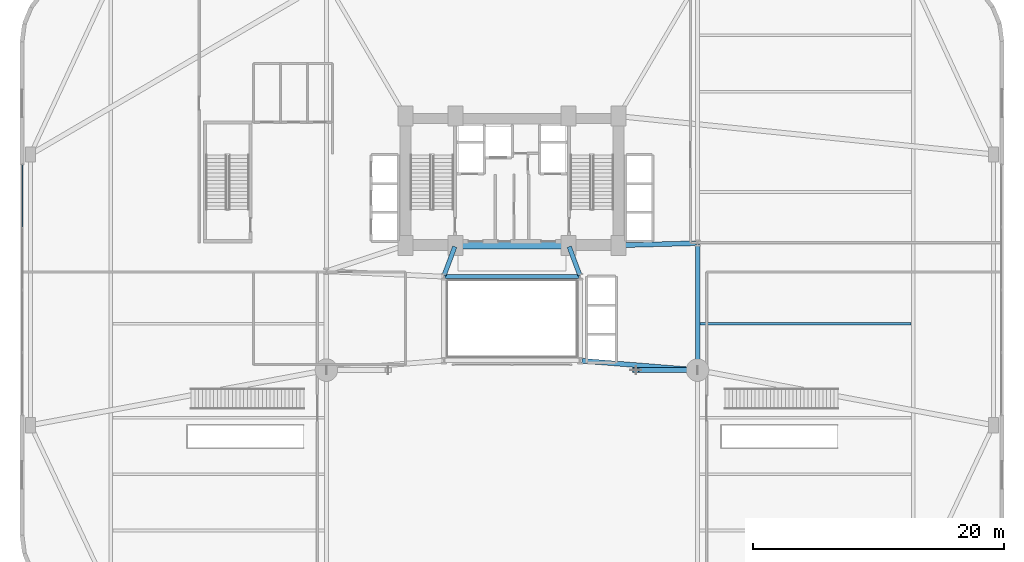
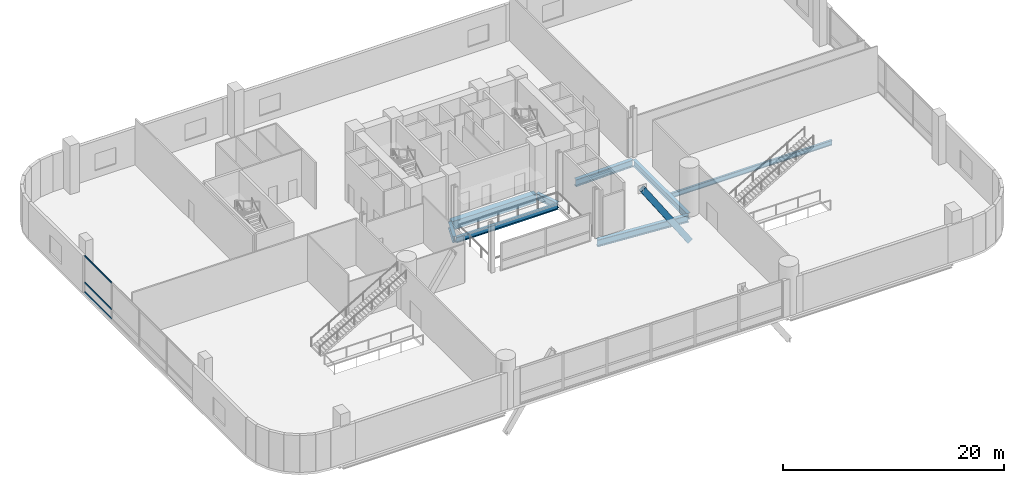
# One storey, part 16 of 40: 8 beams, 4 members, 1 element without a shape of its own.
"""IFC4 building model written with IfcOpenShell, lengths in metres."""

import ifcopenshell
import ifcopenshell.guid

model = None  # the IFC model being written
_history = None  # IfcOwnerHistory: only IFC2X3 demands one
_inside = {}  # id of a spatial element -> (the spatial element, [elements in it])
_under = {}  # id of a project, library or spatial element -> (it, [spatial elements below it])
_declared = {}  # id of a project -> (the project, [libraries it declares])
_typed = {}  # id of a type object -> (the type object, [elements of that type])
_made_of = {}  # id of a material, layer set ... -> (it, [elements and type objects made of it])


def new_model(schema):
    """Start an empty IFC model of exactly this schema.

    Asked for "IFC4X3", IfcOpenShell would pick the latest addendum, in which some entities
    have other attributes; the version numbers below select the first issue.
    IFC2X3 requires an IfcOwnerHistory on every rooted entity: one is made here for all.
    """
    global model, _history
    if schema == "IFC4X3":
        model = ifcopenshell.file(schema_version=(4, 3, 0, 0))
    else:
        model = ifcopenshell.file(schema=schema)
    _inside.clear()
    _under.clear()
    _declared.clear()
    _typed.clear()
    _made_of.clear()
    _history = None
    if model.schema == "IFC2X3":
        org = make("IfcOrganization", Name="unknown")
        user = make(
            "IfcPersonAndOrganization",
            ThePerson=make("IfcPerson", FamilyName="unknown"),
            TheOrganization=org,
        )
        app = make(
            "IfcApplication",
            ApplicationDeveloper=org,
            Version="unknown",
            ApplicationFullName="unknown",
            ApplicationIdentifier="unknown",
        )
        _history = make(
            "IfcOwnerHistory",
            OwningUser=user,
            OwningApplication=app,
            ChangeAction="ADDED",
            CreationDate=0,
        )
    return model


def make(cls, **values):
    """One entity of the class cls with the attributes given. An attribute that is None is left unset."""
    return model.create_entity(
        cls, **{name: value for name, value in values.items() if value is not None}
    )


def rooted(cls, **values):
    """An entity with a GlobalId (a new one), such as an element, a storey or a relation."""
    return make(cls, GlobalId=ifcopenshell.guid.new(), OwnerHistory=_history, **values)


def si_unit(unit_type, name, prefix=None):
    """IfcSIUnit, for example si_unit("LENGTHUNIT", "METRE", prefix="MILLI")."""
    return make("IfcSIUnit", UnitType=unit_type, Prefix=prefix, Name=name)


def assignment(units):
    """IfcUnitAssignment: the units of a project."""
    return None if units is None else make("IfcUnitAssignment", Units=units)


def point(xyz):
    """IfcCartesianPoint."""
    return None if xyz is None else make("IfcCartesianPoint", Coordinates=xyz)


def direction(xyz):
    """IfcDirection."""
    return None if xyz is None else make("IfcDirection", DirectionRatios=xyz)


def frame(location, z_axis=None, x_axis=None):
    """IfcAxis2Placement3D, a coordinate frame: its origin and axes. An axis left out is left unset."""
    return make(
        "IfcAxis2Placement3D",
        Location=point(location),
        Axis=direction(z_axis),
        RefDirection=direction(x_axis),
    )


def frame_2d(location, x_axis=None):
    """IfcAxis2Placement2D, a coordinate frame in the plane: its origin and x axis."""
    return make(
        "IfcAxis2Placement2D", Location=point(location), RefDirection=direction(x_axis)
    )


def origin():
    """The frame at (0, 0, 0) with its axes left unset."""
    return frame((0.0, 0.0, 0.0))


def origin_2d():
    """The frame at (0, 0) in the plane with its x axis left unset."""
    return frame_2d((0.0, 0.0))


def place(relative_to, where):
    """IfcLocalPlacement: puts the frame where relative to a parent placement (None: the world)."""
    return make(
        "IfcLocalPlacement", PlacementRelTo=relative_to, RelativePlacement=where
    )


def context(
    kind, dimensions, precision=None, world=None, true_north=None, identifier=None
):
    """IfcGeometricRepresentationContext, for example the 3D "Model" context."""
    return make(
        "IfcGeometricRepresentationContext",
        ContextIdentifier=identifier,
        ContextType=kind,
        CoordinateSpaceDimension=dimensions,
        Precision=precision,
        WorldCoordinateSystem=world,
        TrueNorth=true_north,
    )


def subcontext(parent, identifier, kind, view, scale=None):
    """IfcGeometricRepresentationSubContext, for example "Body" below "Model"."""
    return make(
        "IfcGeometricRepresentationSubContext",
        ContextIdentifier=identifier,
        ContextType=kind,
        ParentContext=parent,
        TargetScale=scale,
        TargetView=view,
    )


def project(units=None, contexts=None):
    """IfcProject with its units and contexts."""
    return rooted(
        "IfcProject",
        Name="project",
        RepresentationContexts=contexts,
        UnitsInContext=assignment(units),
    )


def spatial(cls, under=None, at=None, **own):
    """A site, building, storey or space (cls), placed at a placement, below another one or the project."""
    s = rooted(cls, ObjectPlacement=at, **own)
    if under is not None:
        _under.setdefault(under.id(), (under, []))[1].append(s)
    return s


def profile(cls, at=None, kind="AREA", **sizes):
    """A parametric profile (cls). Its sizes go by their IFC names, for example OverallWidth=200.0."""
    return make(cls, ProfileType=kind, Position=at, **sizes)


def rectangle(**sizes):
    """IfcRectangleProfileDef."""
    return profile("IfcRectangleProfileDef", **sizes)


def hollow_rectangle(**sizes):
    """IfcRectangleHollowProfileDef."""
    return profile("IfcRectangleHollowProfileDef", **sizes)


def i_section(**sizes):
    """IfcIShapeProfileDef."""
    return profile("IfcIShapeProfileDef", **sizes)


def extrude(swept, where, along, depth):
    """IfcExtrudedAreaSolid: the profile swept, set in the frame where, extruded along a direction by depth."""
    return make(
        "IfcExtrudedAreaSolid",
        SweptArea=swept,
        Position=where,
        ExtrudedDirection=direction(along),
        Depth=depth,
    )


def shape(context_of_items, identifier, shape_type, items):
    """IfcShapeRepresentation: the items that make up one representation, for example the "Body"."""
    return make(
        "IfcShapeRepresentation",
        ContextOfItems=context_of_items,
        RepresentationIdentifier=identifier,
        RepresentationType=shape_type,
        Items=items,
    )


def material(Name=None, Category=None):
    """IfcMaterial."""
    return make("IfcMaterial", Name=Name, Category=Category)


def layer(
    of_material, thickness, ventilated=None, Name=None, Category=None, Priority=None
):
    """IfcMaterialLayer: one layer of a wall or slab, of a material (None: an air gap)."""
    return make(
        "IfcMaterialLayer",
        Material=of_material,
        LayerThickness=thickness,
        IsVentilated=ventilated,
        Name=Name,
        Category=Category,
        Priority=Priority,
    )


def layer_set(layers, Name=None):
    """IfcMaterialLayerSet."""
    return make("IfcMaterialLayerSet", MaterialLayers=layers, LayerSetName=Name)


def material_profile(
    of_material, cross_section, Name=None, Category=None, Priority=None
):
    """IfcMaterialProfile: a cross section and its material."""
    return make(
        "IfcMaterialProfile",
        Name=Name,
        Material=of_material,
        Profile=cross_section,
        Priority=Priority,
        Category=Category,
    )


def profile_set(profiles, Name=None, composite=None):
    """IfcMaterialProfileSet."""
    return make(
        "IfcMaterialProfileSet",
        Name=Name,
        MaterialProfiles=profiles,
        CompositeProfile=composite,
    )


def made_of(thing, what):
    """Note that an element or type object is made of a material, layer set ...; save() writes the relation."""
    if what is not None:
        _made_of.setdefault(what.id(), (what, []))[1].append(thing)
    return thing


def type_object(cls, material=None, **own):
    """A type object (cls), such as IfcWallType, which elements share."""
    return made_of(rooted(cls, **own), material)


def element(
    cls,
    number,
    at=None,
    inside=None,
    cuts=None,
    type_object=None,
    material=None,
    context=None,
    identifier="Body",
    shape_type=None,
    held_by="IfcProductDefinitionShape",
    body=None,
    shapes=None,
    **own,
):
    """One element of the class cls, such as IfcWall. Its Tag is "e" and its number.

    at: its placement. inside: the storey or other place that contains it. cuts: it is an
    opening in that element (IfcRelVoidsElement). A single representation is given by context,
    identifier, shape_type and body (its items); several are given by shapes. held_by: the class
    of the entity that holds the representations. save() writes the other relations.
    """
    e = rooted(cls, Tag="e%d" % number, ObjectPlacement=at, **own)
    if body is not None:
        shapes = [shape(context, identifier, shape_type, body)]
    if shapes is not None:
        e.Representation = make(held_by, Representations=shapes)
    if inside is not None:
        _inside.setdefault(inside.id(), (inside, []))[1].append(e)
    if cuts is not None:
        rooted(
            "IfcRelVoidsElement", RelatingBuildingElement=cuts, RelatedOpeningElement=e
        )
    if type_object is not None:
        _typed.setdefault(type_object.id(), (type_object, []))[1].append(e)
    return made_of(e, material)


def aggregate(whole, parts):
    """IfcRelAggregates: a whole, such as a stair, and the parts it consists of."""
    return rooted("IfcRelAggregates", RelatingObject=whole, RelatedObjects=parts)


def save(model, path):
    """Write the relations noted so far, then the file.

    IfcRelAggregates (storeys below a building ...), IfcRelContainedInSpatialStructure (elements
    in a storey), IfcRelDefinesByType, IfcRelAssociatesMaterial and IfcRelDeclares: one each for
    every whole, place, type object, material and project.
    """
    for whole, parts in _under.values():
        aggregate(whole, parts)
    for where, things in _inside.values():
        rooted(
            "IfcRelContainedInSpatialStructure",
            RelatedElements=things,
            RelatingStructure=where,
        )
    for kind, things in _typed.values():
        rooted("IfcRelDefinesByType", RelatedObjects=things, RelatingType=kind)
    for what, things in _made_of.values():
        rooted("IfcRelAssociatesMaterial", RelatedObjects=things, RelatingMaterial=what)
    for by, libraries in _declared.values():
        rooted("IfcRelDeclares", RelatingContext=by, RelatedDefinitions=libraries)
    model.write(path)


model = new_model("IFC4")

# Units and contexts
model_context = context("Model", 3, precision=1e-05, world=origin(), true_north=direction((0.0, 1.0)))
body_context = subcontext(model_context, "Body", "Model", "MODEL_VIEW")
ifc_project = project(units=[si_unit("LENGTHUNIT", "METRE"), si_unit("AREAUNIT", "SQUARE_METRE"), si_unit("VOLUMEUNIT", "CUBIC_METRE"), si_unit("PLANEANGLEUNIT", "RADIAN"), si_unit("MASSUNIT", "GRAM", prefix="KILO")], contexts=[model_context])

# Site, building, storey
site_placement = place(None, origin())
site = spatial("IfcSite", under=ifc_project, at=site_placement, CompositionType="ELEMENT")
building_placement = place(site_placement, origin())
building = spatial("IfcBuilding", under=site, at=building_placement, Name="Varnelok Gate Tower", CompositionType="ELEMENT")
storey_placement = place(building_placement, frame((0.0, 0.0, 5.39990234375)))
storey = spatial("IfcBuildingStorey", under=building, at=storey_placement, Name="L01", CompositionType="ELEMENT", Elevation=5.39990234375)

# Beams
ifc_material_1 = material(Name="Structural Steel ASTM A992 Grade 50", Category="steel")
ifc_material_profile_1 = material_profile(ifc_material_1, i_section(OverallWidth=0.2119140625, OverallDepth=0.5439453125, WebThickness=0.01318359375, FlangeThickness=0.021240234375, FilletRadius=0.01611328125, at=origin_2d()), Name="W21X83")
ifc_profile_set_1 = profile_set([ifc_material_profile_1], Name="Structural Steel ASTM A992 Grade 50")
beam_type_1 = type_object("IfcBeamType", Name="BM-JST-W21X83", PredefinedType="JOIST", material=ifc_profile_set_1)
beam_1_placement = place(storey_placement, frame((54.159912109375, 22.5, -0.552001953125), z_axis=(1.0, 0.0, 0.0), x_axis=(0.0, 1.0, 0.0)))
element("IfcBeam", 1, at=beam_1_placement, inside=storey, type_object=beam_type_1, Name="L01 Podium Floor Joist", PredefinedType="JOIST", context=body_context, shape_type="SweptSolid", body=[
    extrude(i_section(OverallWidth=0.2119140625, OverallDepth=0.5439453125, WebThickness=0.01318359375, FlangeThickness=0.021240234375, FilletRadius=0.01611328125, at=origin_2d()), origin(), (0.0, 0.0, 1.0), 16.880126953125),
])
ifc_material_2 = material(Name="Concrete C60/75", Category="concrete")
ifc_material_profile_2 = material_profile(ifc_material_2, rectangle(XDim=0.60009765625, YDim=0.949951171875, at=origin_2d()), Name="RC950X600")
ifc_profile_set_2 = profile_set([ifc_material_profile_2], Name="Concrete C60/75")
beam_type_2 = type_object("IfcBeamType", Name="BM-LNT-RC950", PredefinedType="LINTEL", material=ifc_profile_set_2)
beam_2_placement = place(storey_placement, frame((34.800048828125, 28.75, -0.7548828125), z_axis=(1.0, 0.0, 0.0), x_axis=(0.0, 1.0, 0.0)))
element("IfcBeam", 2, at=beam_2_placement, inside=storey, type_object=beam_type_2, Name="L01 Core-Atrium Spine Beam 7", PredefinedType="LINTEL", context=body_context, shape_type="SweptSolid", body=[
    extrude(rectangle(XDim=0.60009765625, YDim=0.949951171875, at=origin_2d()), origin(), (0.0, 0.0, 1.0), 8.800048828125),
])
ifc_material_profile_3 = material_profile(ifc_material_1, i_section(OverallWidth=0.35498046875, OverallDepth=0.696044921875, WebThickness=0.015380859375, FlangeThickness=0.02490234375, FilletRadius=0.02001953125, at=origin_2d()), Name="W27X146")
ifc_profile_set_3 = profile_set([ifc_material_profile_3], Name="Structural Steel ASTM A992 Grade 50")
beam_type_3 = type_object("IfcBeamType", Name="BM-PRI-W27X146", PredefinedType="BEAM", material=ifc_profile_set_3)
for number, where, z_axis, x_axis, name in (
    (3, (33.791748046875, 26.362548828125, -0.6279296875), (0.348719329408, 0.937227202602, 0.0), (-0.937227202602, 0.348719329408, 0.0), "L01 Core-Atrium Spine Beam 12"),
    (4, (44.608154296875, 26.362548828125, -0.6279296875), (-0.348719329408, 0.937227202602, 0.0), (-0.937227202602, -0.348719329408, 0.0), "L01 Core-Atrium Spine Beam 13"),
):
    element("IfcBeam", number, at=place(storey_placement, frame(where, z_axis=z_axis, x_axis=x_axis)), inside=storey, type_object=beam_type_3, Name=name, PredefinedType="BEAM", context=body_context, shape_type="SweptSolid", body=[
        extrude(i_section(OverallWidth=0.35498046875, OverallDepth=0.696044921875, WebThickness=0.015380859375, FlangeThickness=0.02490234375, FilletRadius=0.02001953125, at=origin_2d()), origin(), (0.0, 0.0, 1.0), 2.42724609375),
    ])
beam_3_placement = place(storey_placement, frame((54.0, 18.919921875, -0.6279296875), z_axis=(0.0, 1.0, 0.0), x_axis=(-1.0, 0.0, 0.0)))
element("IfcBeam", 5, at=beam_3_placement, inside=storey, type_object=beam_type_3, Name="L01 Core-Atrium Spine Beam 20", PredefinedType="BEAM", context=body_context, shape_type="SweptSolid", body=[
    extrude(i_section(OverallWidth=0.35498046875, OverallDepth=0.696044921875, WebThickness=0.015380859375, FlangeThickness=0.02490234375, FilletRadius=0.02001953125, at=origin_2d()), origin(), (0.0, 0.0, 1.0), 9.880126953125),
])
ifc_material_profile_4 = material_profile(ifc_material_1, i_section(OverallWidth=0.381103515625, OverallDepth=0.77294921875, WebThickness=0.0166015625, FlangeThickness=0.027099609375, FilletRadius=0.02197265625, at=origin_2d()), Name="W30X173")
ifc_profile_set_4 = profile_set([ifc_material_profile_4], Name="Structural Steel ASTM A992 Grade 50")
beam_type_4 = type_object("IfcBeamType", Name="BM-PRI-W30X173", PredefinedType="BEAM", material=ifc_profile_set_4)
beam_4_placement = place(storey_placement, frame((44.76953125, 19.540283203125, -0.66650390625), z_axis=(0.996799206292, -0.07994587128, 0.0), x_axis=(0.07994587128, 0.996799206292, 0.0)))
element("IfcBeam", 6, at=beam_4_placement, inside=storey, type_object=beam_type_4, Name="L01 Core-Atrium Spine Beam 18", PredefinedType="BEAM", context=body_context, shape_type="SweptSolid", body=[
    extrude(i_section(OverallWidth=0.381103515625, OverallDepth=0.77294921875, WebThickness=0.0166015625, FlangeThickness=0.027099609375, FilletRadius=0.02197265625, at=origin_2d()), origin(), (0.0, 0.0, 1.0), 9.14013671875),
])
beam_5_placement = place(storey_placement, frame((47.820068359375, 28.753173828125, -0.66650390625), z_axis=(0.999635880609, 0.026983443053, 0.0), x_axis=(-0.026983443053, 0.999635880609, 0.0)))
element("IfcBeam", 7, at=beam_5_placement, inside=storey, type_object=beam_type_4, Name="L01 Core-Atrium Spine Beam 19", PredefinedType="BEAM", context=body_context, shape_type="SweptSolid", body=[
    extrude(i_section(OverallWidth=0.381103515625, OverallDepth=0.77294921875, WebThickness=0.0166015625, FlangeThickness=0.027099609375, FilletRadius=0.02197265625, at=origin_2d()), origin(), (0.0, 0.0, 1.0), 6.06201171875),
])
ifc_material_profile_5 = material_profile(ifc_material_1, i_section(OverallWidth=0.323974609375, OverallDepth=0.611083984375, WebThickness=0.0126953125, FlangeThickness=0.01904296875, FilletRadius=0.01806640625, at=origin_2d()), Name="W24X104")
ifc_profile_set_5 = profile_set([ifc_material_profile_5], Name="Structural Steel ASTM A992 Grade 50")
beam_type_5 = type_object("IfcBeamType", Name="BM-SPN-W24X104", PredefinedType="SPANDREL", material=ifc_profile_set_5)
beam_6_placement = place(storey_placement, frame((33.8701171875, 26.25, -0.58544921875), z_axis=(1.0, 0.0, 0.0), x_axis=(0.0, 1.0, 0.0)))
element("IfcBeam", 8, at=beam_6_placement, inside=storey, type_object=beam_type_5, Name="L01 Core-Atrium Spine Beam 9", PredefinedType="SPANDREL", context=body_context, shape_type="SweptSolid", body=[
    extrude(i_section(OverallWidth=0.323974609375, OverallDepth=0.611083984375, WebThickness=0.0126953125, FlangeThickness=0.01904296875, FilletRadius=0.01806640625, at=origin_2d()), origin(), (0.0, 0.0, 1.0), 10.659912109375),
])

# Curtain wall, members
ifc_material_3 = material(Name="Anodized Aluminum Alloy 6063-T6", Category="aluminium")
ifc_layer = layer(ifc_material_3, 0.179931640625)
ifc_layer_set = layer_set([ifc_layer], Name="Anodized Aluminum Alloy 6063-T6")
curtain_wall_type = type_object("IfcCurtainWallType", Name="CW1-ARCH-PORTAL", PredefinedType="USERDEFINED", material=ifc_layer_set)
curtain_wall_placement = place(storey_placement, origin())
curtain_wall = element("IfcCurtainWall", 9, at=curtain_wall_placement, inside=storey, type_object=curtain_wall_type, Name="L01 Podium Portal Curtain Wall W", ObjectType="UNITISED CURTAIN WALL", PredefinedType="USERDEFINED")
ifc_material_profile_6 = material_profile(ifc_material_3, hollow_rectangle(XDim=0.074951171875, YDim=0.199951171875, WallThickness=0.00390625, at=origin_2d()), Name="ALU200X75X4")
ifc_profile_set_6 = profile_set([ifc_material_profile_6], Name="Anodized Aluminum Alloy 6063-T6")
member_type_1 = type_object("IfcMemberType", Name="CW-TRAN-200", PredefinedType="USERDEFINED", material=ifc_profile_set_6)
member_1_placement = place(storey_placement, frame((0.159912109375, 30.237548828125, 0.03759765625), z_axis=(0.0, 1.0, 0.0), x_axis=(-1.0, 0.0, 0.0)))
member_1 = element("IfcMember", 10, at=member_1_placement, type_object=member_type_1, Name="CW1 transom 4.1", ObjectType="TRANSOM", PredefinedType="USERDEFINED", context=body_context, shape_type="SweptSolid", body=[
    extrude(hollow_rectangle(XDim=0.074951171875, YDim=0.199951171875, WallThickness=0.00390625, at=origin_2d()), origin(), (0.0, 0.0, 1.0), 4.887451171875),
])
member_2_placement = place(storey_placement, frame((0.159912109375, 30.237548828125, 1.10009765625), z_axis=(0.0, 1.0, 0.0), x_axis=(-1.0, 0.0, 0.0)))
member_2 = element("IfcMember", 11, at=member_2_placement, type_object=member_type_1, Name="CW1 transom 4.2", ObjectType="TRANSOM", PredefinedType="USERDEFINED", context=body_context, shape_type="SweptSolid", body=[
    extrude(hollow_rectangle(XDim=0.074951171875, YDim=0.199951171875, WallThickness=0.00390625, at=origin_2d()), origin(), (0.0, 0.0, 1.0), 4.887451171875),
])
member_3_placement = place(storey_placement, frame((0.159912109375, 30.237548828125, 4.03271484375), z_axis=(0.0, 1.0, 0.0), x_axis=(-1.0, 0.0, 0.0)))
member_3 = element("IfcMember", 12, at=member_3_placement, type_object=member_type_1, Name="CW1 transom 4.3", ObjectType="TRANSOM", PredefinedType="USERDEFINED", context=body_context, shape_type="SweptSolid", body=[
    extrude(hollow_rectangle(XDim=0.074951171875, YDim=0.199951171875, WallThickness=0.00390625, at=origin_2d()), origin(), (0.0, 0.0, 1.0), 4.887451171875),
])
aggregate(curtain_wall, [member_1, member_2, member_3])

# Member
ifc_material_4 = material(Name="Structural Steel ASTM A572 Grade 50", Category="steel")
ifc_material_profile_7 = material_profile(ifc_material_4, hollow_rectangle(XDim=0.39990234375, YDim=0.60009765625, WallThickness=0.02490234375, at=origin_2d()), Name="HSS600X400X25")
ifc_profile_set_7 = profile_set([ifc_material_profile_7], Name="Structural Steel ASTM A572 Grade 50")
member_type_2 = type_object("IfcMemberType", Name="MEM-ARCH-CHORD", PredefinedType="CHORD", material=ifc_profile_set_7)
member_4_placement = place(storey_placement, frame((49.066650390625, 18.800048828125, 4.2333984375), z_axis=(0.552974977986, 0.0, -0.833197859888), x_axis=(0.0, 1.0, 0.0)))
element("IfcMember", 13, at=member_4_placement, inside=storey, type_object=member_type_2, Name="Giant Arch Inner Chord Rib 6", PredefinedType="CHORD", context=body_context, shape_type="SweptSolid", body=[
    extrude(hollow_rectangle(XDim=0.39990234375, YDim=0.60009765625, WallThickness=0.02490234375, at=origin_2d()), origin(), (0.0, 0.0, 1.0), 8.92138671875),
])

save(model, "model.ifc")
